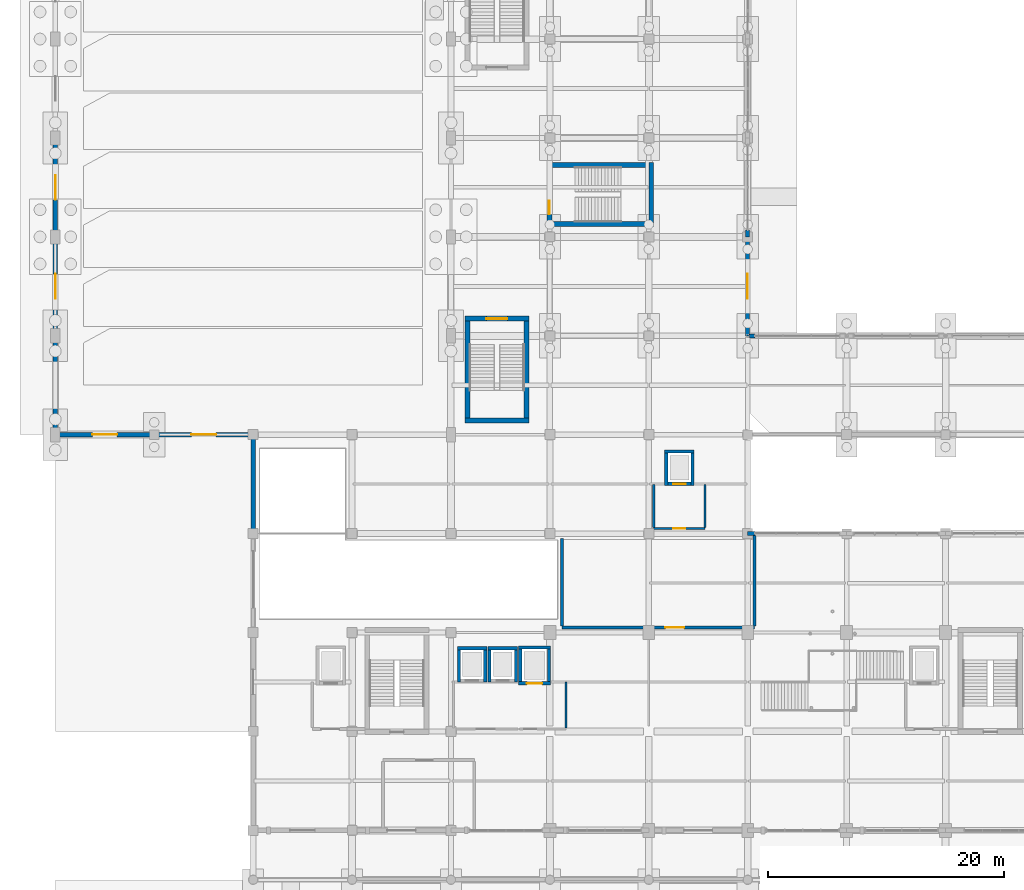
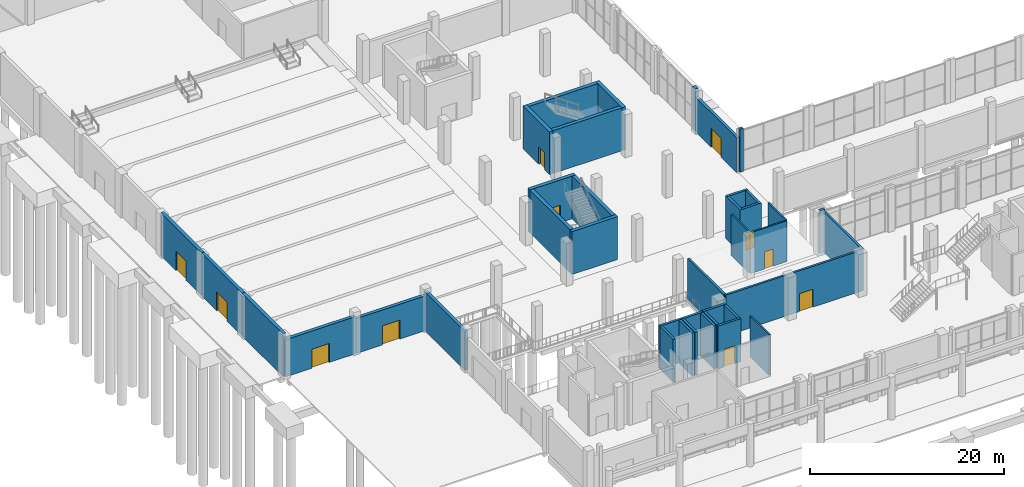
# One storey, part 65 of 82: 39 walls, 11 doors, 11 openings.
"""IFC4 building model written with IfcOpenShell, lengths in metres."""

from ifc_helpers import new_model, si_unit, derived_unit, direction, frame, frame_2d, origin, place, context, subcontext, project, spatial, rectangle, extrude, material, layer, layer_set, type_object, element, fill, save


model = new_model("IFC4")

# Units and contexts
model_context = context("Model", 3, precision=1e-05, world=origin(), true_north=direction((0.0, 1.0)))
body_context = subcontext(model_context, "Body", "Model", "MODEL_VIEW")
ifc_project = project(units=[si_unit("LENGTHUNIT", "METRE"), si_unit("AREAUNIT", "SQUARE_METRE"), si_unit("VOLUMEUNIT", "CUBIC_METRE"), si_unit("PLANEANGLEUNIT", "RADIAN"), si_unit("MASSUNIT", "GRAM", prefix="KILO"), derived_unit("THERMALTRANSMITTANCEUNIT", [(si_unit("POWERUNIT", "WATT"), 1), (si_unit("LENGTHUNIT", "METRE"), -2), (si_unit("THERMODYNAMICTEMPERATUREUNIT", "KELVIN"), -1)])], contexts=[model_context])

# Site, building, storey
site_placement = place(None, origin())
site = spatial("IfcSite", under=ifc_project, at=site_placement, CompositionType="ELEMENT")
building_placement = place(site_placement, origin())
building = spatial("IfcBuilding", under=site, at=building_placement, Name="Barrovel Congress Hotel", CompositionType="ELEMENT")
storey_placement = place(building_placement, origin())
storey = spatial("IfcBuildingStorey", under=building, at=storey_placement, Name="L00", CompositionType="ELEMENT", Elevation=0.0)

# Wall
ifc_material_1 = material(Name="Fired Clay Brick Masonry", Category="masonry")
ifc_layer_1 = layer(ifc_material_1, 0.340087890625)
ifc_layer_set_1 = layer_set([ifc_layer_1], Name="Fired Clay Brick Masonry")
wall_type_1 = type_object("IfcWallType", Name="EW-BRK340", PredefinedType="STANDARD", material=ifc_layer_set_1)
wall_1_placement = place(storey_placement, frame((59.39990234375, 29.39990234375, 0.0), z_axis=(0.0, 0.0, 1.0), x_axis=(-1.0, 0.0, 0.0)))
element("IfcWall", 1, at=wall_1_placement, inside=storey, type_object=wall_type_1, Name="EW:L00:CSJ-L:7", PredefinedType="STANDARD", context=body_context, shape_type="SweptSolid", body=[
    extrude(rectangle(XDim=0.599853515625, YDim=0.340087890625, at=frame_2d((0.2998046875, 0.0))), origin(), (0.0, 0.0, 1.0), 5.39990234375),
])

# Wall, opening, door
wall_2_placement = place(storey_placement, frame((58.800048828125, 46.199951171875, 0.0), z_axis=(0.0, 0.0, 1.0), x_axis=(0.0, 1.0, 0.0)))
wall_2 = element("IfcWall", 2, at=wall_2_placement, inside=storey, type_object=wall_type_1, Name="EW:L00:CW-EXIT1", PredefinedType="STANDARD", context=body_context, shape_type="SweptSolid", body=[
    extrude(rectangle(XDim=8.400146484375, YDim=0.340087890625, at=frame_2d((4.2001953125, 0.0))), origin(), (0.0, 0.0, 1.0), 4.389892578125),
])
opening_1_placement = place(wall_2_placement, frame((5.25, 0.0, 0.0), z_axis=(0.0, 0.0, 1.0), x_axis=(-1.0, 0.0, 0.0)))
opening_1 = element("IfcOpeningElement", 3, at=opening_1_placement, cuts=wall_2, Name="Opening ED-01", PredefinedType="OPENING", context=body_context, shape_type="SweptSolid", body=[
    extrude(rectangle(XDim=2.10009765625, YDim=2.39990234375, at=frame_2d((1.050048828125, 1.199951171875))), frame((0.0, 0.18017578125, 0.0), z_axis=(0.0, -1.0, 0.0), x_axis=(1.0, 0.0, 0.0)), (0.0, 0.0, 1.0), 0.360107421875),
])
ifc_material_2 = material(Name="Anodised Aluminium Glazed Door", Category="aluminium")
door_type_1 = type_object("IfcDoorType", Name="EDR-ED-01", OperationType="NOTDEFINED", PredefinedType="DOOR", material=ifc_material_2)
door_1_placement = place(opening_1_placement, origin())
door_1 = element("IfcDoor", 4, at=door_1_placement, inside=storey, type_object=door_type_1, Name="Grade Exit Door E-13", OperationType="DOUBLE_DOOR_SINGLE_SWING", OverallHeight=2.39990234375, OverallWidth=2.10009765625, PredefinedType="DOOR", context=body_context, shape_type="SweptSolid", body=[
    extrude(rectangle(XDim=2.10009765625, YDim=2.39990234375, at=frame_2d((1.050048828125, 1.199951171875))), frame((0.0, 0.02490234375, 0.0), z_axis=(0.0, -1.0, 0.0), x_axis=(1.0, 0.0, 0.0)), (0.0, 0.0, 1.0), 0.050048828125),
])
fill(opening_1, door_1)

# Walls
wall_3_placement = place(storey_placement, frame((58.800048828125, 54.60009765625, 0.0), z_axis=(0.0, 0.0, 1.0), x_axis=(0.0, 1.0, 0.0)))
element("IfcWall", 5, at=wall_3_placement, inside=storey, type_object=wall_type_1, Name="EW:L00:CWJ-A:54.6", PredefinedType="STANDARD", context=body_context, shape_type="SweptSolid", body=[
    extrude(rectangle(XDim=0.599853515625, YDim=0.340087890625, at=frame_2d((0.2998046875, 0.0))), origin(), (0.0, 0.0, 1.0), 5.39990234375),
])
wall_4_placement = place(storey_placement, frame((59.39990234375, 46.199951171875, 0.0), z_axis=(0.0, 0.0, 1.0), x_axis=(-1.0, 0.0, 0.0)))
element("IfcWall", 6, at=wall_4_placement, inside=storey, type_object=wall_type_1, Name="EW:L00:CLJ-R:7", PredefinedType="STANDARD", context=body_context, shape_type="SweptSolid", body=[
    extrude(rectangle(XDim=0.429931640625, YDim=0.340087890625, at=frame_2d((0.21484375, 0.0))), origin(), (0.0, 0.0, 1.0), 5.39990234375),
])
ifc_layer_2 = layer(ifc_material_1, 0.360107421875)
ifc_layer_set_2 = layer_set([ifc_layer_2], Name="Fired Clay Brick Masonry")
wall_type_2 = type_object("IfcWallType", Name="EW-BRK360", PredefinedType="STANDARD", material=ifc_layer_set_2)
wall_5_placement = place(storey_placement, frame((16.800048828125, 37.800048828125, 0.0), z_axis=(0.0, 0.0, 1.0), x_axis=(0.0, -1.0, 0.0)))
element("IfcWall", 7, at=wall_5_placement, inside=storey, type_object=wall_type_2, Name="EW:L00:V4W:29.4", PredefinedType="STANDARD", context=body_context, shape_type="SweptSolid", body=[
    extrude(rectangle(XDim=8.400146484375, YDim=0.360107421875, at=frame_2d((4.2001953125, 0.0))), origin(), (0.0, 0.0, 1.0), 4.89306640625),
])

# Wall, opening, door
ifc_layer_3 = layer(ifc_material_1, 0.3798828125)
ifc_layer_set_3 = layer_set([ifc_layer_3], Name="Fired Clay Brick Masonry")
wall_type_3 = type_object("IfcWallType", Name="EW-BRK380", PredefinedType="STANDARD", material=ifc_layer_set_3)
wall_6_placement = place(storey_placement, frame((0.0, 63.0, 0.0), z_axis=(0.0, 0.0, 1.0), x_axis=(0.0, -1.0, 0.0)))
wall_6 = element("IfcWall", 8, at=wall_6_placement, inside=storey, type_object=wall_type_3, Name="EW:L00:V1W:54.6", PredefinedType="STANDARD", context=body_context, shape_type="SweptSolid", body=[
    extrude(rectangle(XDim=8.39990234375, YDim=0.3798828125, at=frame_2d((4.199951171875, 0.0))), origin(), (0.0, 0.0, 1.0), 5.39990234375),
])
opening_2_placement = place(wall_6_placement, frame((5.25, 0.0, 0.0), z_axis=(0.0, 0.0, 1.0), x_axis=(-1.0, 0.0, 0.0)))
opening_2 = element("IfcOpeningElement", 9, at=opening_2_placement, cuts=wall_6, Name="Opening ED-01", PredefinedType="OPENING", context=body_context, shape_type="SweptSolid", body=[
    extrude(rectangle(XDim=2.10009765625, YDim=2.39990234375, at=frame_2d((1.050048828125, 1.199951171875))), frame((0.0, 0.199951171875, 0.0), z_axis=(0.0, -1.0, 0.0), x_axis=(1.0, 0.0, 0.0)), (0.0, 0.0, 1.0), 0.39990234375),
])
door_2_placement = place(opening_2_placement, origin())
door_2 = element("IfcDoor", 10, at=door_2_placement, inside=storey, type_object=door_type_1, Name="Grade Exit Door E-17", OperationType="DOUBLE_DOOR_SINGLE_SWING", OverallHeight=2.39990234375, OverallWidth=2.10009765625, PredefinedType="DOOR", context=body_context, shape_type="SweptSolid", body=[
    extrude(rectangle(XDim=2.10009765625, YDim=2.39990234375, at=frame_2d((1.050048828125, 1.199951171875))), frame((0.0, 0.02490234375, 0.0), z_axis=(0.0, -1.0, 0.0), x_axis=(1.0, 0.0, 0.0)), (0.0, 0.0, 1.0), 0.050048828125),
])
fill(opening_2, door_2)

wall_7_placement = place(storey_placement, frame((0.0, 54.60009765625, 0.0), z_axis=(0.0, 0.0, 1.0), x_axis=(0.0, -1.0, 0.0)))
wall_7 = element("IfcWall", 11, at=wall_7_placement, inside=storey, type_object=wall_type_3, Name="EW:L00:V1W:46.2", PredefinedType="STANDARD", context=body_context, shape_type="SweptSolid", body=[
    extrude(rectangle(XDim=8.400146484375, YDim=0.3798828125, at=frame_2d((4.2001953125, 0.0))), origin(), (0.0, 0.0, 1.0), 5.39990234375),
])
opening_3_placement = place(wall_7_placement, frame((5.25, 0.0, 0.0), z_axis=(0.0, 0.0, 1.0), x_axis=(-1.0, 0.0, 0.0)))
opening_3 = element("IfcOpeningElement", 12, at=opening_3_placement, cuts=wall_7, Name="Opening ED-01", PredefinedType="OPENING", context=body_context, shape_type="SweptSolid", body=[
    extrude(rectangle(XDim=2.10009765625, YDim=2.39990234375, at=frame_2d((1.050048828125, 1.199951171875))), frame((0.0, 0.199951171875, 0.0), z_axis=(0.0, -1.0, 0.0), x_axis=(1.0, 0.0, 0.0)), (0.0, 0.0, 1.0), 0.39990234375),
])
door_3_placement = place(opening_3_placement, origin())
door_3 = element("IfcDoor", 13, at=door_3_placement, inside=storey, type_object=door_type_1, Name="Grade Exit Door E-16", OperationType="DOUBLE_DOOR_SINGLE_SWING", OverallHeight=2.39990234375, OverallWidth=2.10009765625, PredefinedType="DOOR", context=body_context, shape_type="SweptSolid", body=[
    extrude(rectangle(XDim=2.10009765625, YDim=2.39990234375, at=frame_2d((1.050048828125, 1.199951171875))), frame((0.0, 0.02490234375, 0.0), z_axis=(0.0, -1.0, 0.0), x_axis=(1.0, 0.0, 0.0)), (0.0, 0.0, 1.0), 0.050048828125),
])
fill(opening_3, door_3)

# Wall
wall_8_placement = place(storey_placement, frame((0.0, 46.199951171875, 0.0), z_axis=(0.0, 0.0, 1.0), x_axis=(0.0, -1.0, 0.0)))
element("IfcWall", 14, at=wall_8_placement, inside=storey, type_object=wall_type_3, Name="EW:L00:V1W:37.8", PredefinedType="STANDARD", context=body_context, shape_type="SweptSolid", body=[
    extrude(rectangle(XDim=8.39990234375, YDim=0.3798828125, at=frame_2d((4.199951171875, 0.0))), origin(), (0.0, 0.0, 1.0), 5.39990234375),
])

# Wall, opening, door
wall_9_placement = place(storey_placement, frame((0.0, 37.800048828125, 0.0), z_axis=(0.0, 0.0, 1.0), x_axis=(1.0, 0.0, 0.0)))
wall_9 = element("IfcWall", 15, at=wall_9_placement, inside=storey, type_object=wall_type_3, Name="EW:L00:V1S:0", PredefinedType="STANDARD", context=body_context, shape_type="SweptSolid", body=[
    extrude(rectangle(XDim=8.39990234375, YDim=0.3798828125, at=frame_2d((4.199951171875, 0.0))), origin(), (0.0, 0.0, 1.0), 4.679931640625),
])
opening_4_placement = place(wall_9_placement, frame((5.25, 0.0, 0.0), z_axis=(0.0, 0.0, 1.0), x_axis=(-1.0, 0.0, 0.0)))
opening_4 = element("IfcOpeningElement", 16, at=opening_4_placement, cuts=wall_9, Name="Opening ED-01", PredefinedType="OPENING", context=body_context, shape_type="SweptSolid", body=[
    extrude(rectangle(XDim=2.10009765625, YDim=2.39990234375, at=frame_2d((1.050048828125, 1.199951171875))), frame((0.0, 0.199951171875, 0.0), z_axis=(0.0, -1.0, 0.0), x_axis=(1.0, 0.0, 0.0)), (0.0, 0.0, 1.0), 0.39990234375),
])
door_4_placement = place(opening_4_placement, origin())
door_4 = element("IfcDoor", 17, at=door_4_placement, inside=storey, type_object=door_type_1, Name="Grade Exit Door E-10", OperationType="DOUBLE_DOOR_SINGLE_SWING", OverallHeight=2.39990234375, OverallWidth=2.10009765625, PredefinedType="DOOR", context=body_context, shape_type="SweptSolid", body=[
    extrude(rectangle(XDim=2.10009765625, YDim=2.39990234375, at=frame_2d((1.050048828125, 1.199951171875))), frame((0.0, 0.02490234375, 0.0), z_axis=(0.0, -1.0, 0.0), x_axis=(1.0, 0.0, 0.0)), (0.0, 0.0, 1.0), 0.050048828125),
])
fill(opening_4, door_4)

wall_10_placement = place(storey_placement, frame((8.39990234375, 37.800048828125, 0.0), z_axis=(0.0, 0.0, 1.0), x_axis=(1.0, 0.0, 0.0)))
wall_10 = element("IfcWall", 18, at=wall_10_placement, inside=storey, type_object=wall_type_3, Name="EW:L00:V1S:1", PredefinedType="STANDARD", context=body_context, shape_type="SweptSolid", body=[
    extrude(rectangle(XDim=8.400146484375, YDim=0.3798828125, at=frame_2d((4.2001953125, 0.0))), origin(), (0.0, 0.0, 1.0), 4.389892578125),
])
opening_5_placement = place(wall_10_placement, frame((5.25, 0.0, 0.0), z_axis=(0.0, 0.0, 1.0), x_axis=(-1.0, 0.0, 0.0)))
opening_5 = element("IfcOpeningElement", 19, at=opening_5_placement, cuts=wall_10, Name="Opening ED-01", PredefinedType="OPENING", context=body_context, shape_type="SweptSolid", body=[
    extrude(rectangle(XDim=2.10009765625, YDim=2.39990234375, at=frame_2d((1.050048828125, 1.199951171875))), frame((0.0, 0.199951171875, 0.0), z_axis=(0.0, -1.0, 0.0), x_axis=(1.0, 0.0, 0.0)), (0.0, 0.0, 1.0), 0.39990234375),
])
door_5_placement = place(opening_5_placement, origin())
door_5 = element("IfcDoor", 20, at=door_5_placement, inside=storey, type_object=door_type_1, Name="Grade Exit Door E-11", OperationType="DOUBLE_DOOR_SINGLE_SWING", OverallHeight=2.39990234375, OverallWidth=2.10009765625, PredefinedType="DOOR", context=body_context, shape_type="SweptSolid", body=[
    extrude(rectangle(XDim=2.10009765625, YDim=2.39990234375, at=frame_2d((1.050048828125, 1.199951171875))), frame((0.0, 0.02490234375, 0.0), z_axis=(0.0, -1.0, 0.0), x_axis=(1.0, 0.0, 0.0)), (0.0, 0.0, 1.0), 0.050048828125),
])
fill(opening_5, door_5)

# Wall
ifc_material_3 = material(Name="Gypsum Acoustic Stud", Category="gypsum")
ifc_layer_4 = layer(ifc_material_3, 0.179931640625)
ifc_layer_set_4 = layer_set([ifc_layer_4], Name="Gypsum Acoustic Stud")
wall_type_4 = type_object("IfcWallType", Name="PW-ACU-180", PredefinedType="PARTITIONING", material=ifc_layer_set_4)
wall_11_placement = place(storey_placement, frame((43.3798828125, 12.909912109375, 0.0), z_axis=(0.0, 0.0, 1.0), x_axis=(0.0, 1.0, 0.0)))
element("IfcWall", 21, at=wall_11_placement, inside=storey, type_object=wall_type_4, Name="RW:SP:L00:LL-SL1:E", PredefinedType="PARTITIONING", context=body_context, shape_type="SweptSolid", body=[
    extrude(rectangle(XDim=3.8701171875, YDim=0.179931640625, at=frame_2d((1.93505859375, 0.0))), origin(), (0.0, 0.0, 1.0), 5.135009765625),
])

# Wall, opening, door
wall_12_placement = place(storey_placement, frame((50.820068359375, 29.820068359375, 0.0), z_axis=(0.0, 0.0, 1.0), x_axis=(1.0, 0.0, 0.0)))
wall_12 = element("IfcWall", 22, at=wall_12_placement, inside=storey, type_object=wall_type_4, Name="RW:SP:L00:LL-CL1:S", PredefinedType="PARTITIONING", context=body_context, shape_type="SweptSolid", body=[
    extrude(rectangle(XDim=4.35986328125, YDim=0.179931640625, at=frame_2d((2.179931640625, 0.0))), origin(), (0.0, 0.0, 1.0), 5.135009765625),
])
opening_6_placement = place(wall_12_placement, frame((1.669921875, 0.0, 0.0)))
opening_6 = element("IfcOpeningElement", 23, at=opening_6_placement, cuts=wall_12, Name="Opening ID-ACC", PredefinedType="OPENING", context=body_context, shape_type="SweptSolid", body=[
    extrude(rectangle(XDim=1.02001953125, YDim=2.14990234375, at=frame_2d((0.510009765625, 1.074951171875))), frame((0.0, 0.10009765625, 0.0), z_axis=(0.0, -1.0, 0.0), x_axis=(1.0, 0.0, 0.0)), (0.0, 0.0, 1.0), 0.199951171875),
])
ifc_material_4 = material(Name="Solid Oak Acoustic Timber Door", Category="wood")
door_type_2 = type_object("IfcDoorType", Name="IDR-ID-ACC", OperationType="NOTDEFINED", PredefinedType="DOOR", material=ifc_material_4)
door_6_placement = place(opening_6_placement, origin())
door_6 = element("IfcDoor", 24, at=door_6_placement, inside=storey, type_object=door_type_2, Name="RD:SP:L00:LL-CL1", OperationType="SINGLE_SWING_RIGHT", OverallHeight=2.14990234375, OverallWidth=1.02001953125, PredefinedType="DOOR", context=body_context, shape_type="SweptSolid", body=[
    extrude(rectangle(XDim=1.02001953125, YDim=2.14990234375, at=frame_2d((0.510009765625, 1.074951171875))), frame((0.0, 0.02490234375, 0.0), z_axis=(0.0, -1.0, 0.0), x_axis=(1.0, 0.0, 0.0)), (0.0, 0.0, 1.0), 0.050048828125),
])
fill(opening_6, door_6)

# Walls
for number, where, z_axis, x_axis, name in (
    (25, (50.820068359375, 29.909912109375, 0.0), (0.0, 0.0, 1.0), (0.0, 1.0, 0.0), "RW:SP:L00:LL-CL1:W"),
    (26, (55.179931640625, 29.909912109375, 0.0), (0.0, 0.0, 1.0), (0.0, 1.0, 0.0), "RW:SP:L00:LL-CL1:E"),
):
    element("IfcWall", number, at=place(storey_placement, frame(where, z_axis=z_axis, x_axis=x_axis)), inside=storey, type_object=wall_type_4, Name=name, PredefinedType="PARTITIONING", context=body_context, shape_type="SweptSolid", body=[
        extrude(rectangle(XDim=3.670166015625, YDim=0.179931640625, at=frame_2d((1.8349609375, 0.0))), origin(), (0.0, 0.0, 1.0), 5.135009765625),
    ])

# Wall, opening, door
ifc_layer_5 = layer(ifc_material_1, 0.239990234375)
ifc_layer_set_5 = layer_set([ifc_layer_5], Name="Fired Clay Brick Masonry")
wall_type_5 = type_object("IfcWallType", Name="PW-MAS-240", PredefinedType="PARTITIONING", material=ifc_layer_set_5)
wall_13_placement = place(storey_placement, frame((43.02001953125, 21.419921875, 0.0), z_axis=(0.0, 0.0, 1.0), x_axis=(1.0, 0.0, 0.0)))
wall_13 = element("IfcWall", 27, at=wall_13_placement, inside=storey, type_object=wall_type_5, Name="RW:SP:L00:CAFE:S", PredefinedType="PARTITIONING", context=body_context, shape_type="SweptSolid", body=[
    extrude(rectangle(XDim=16.35986328125, YDim=0.239990234375, at=frame_2d((8.179931640625, 0.0))), origin(), (0.0, 0.0, 1.0), 5.135009765625),
])
opening_7_placement = place(wall_13_placement, frame((8.780029296875, 0.0, 0.0)))
opening_7 = element("IfcOpeningElement", 28, at=opening_7_placement, cuts=wall_13, Name="Opening ID-MTG", PredefinedType="OPENING", context=body_context, shape_type="SweptSolid", body=[
    extrude(rectangle(XDim=1.60009765625, YDim=2.25, at=frame_2d((0.800048828125, 1.125))), frame((0.0, 0.1298828125, 0.0), z_axis=(0.0, -1.0, 0.0), x_axis=(1.0, 0.0, 0.0)), (0.0, 0.0, 1.0), 0.260009765625),
])
door_type_3 = type_object("IfcDoorType", Name="IDR-ID-MTG", OperationType="NOTDEFINED", PredefinedType="DOOR", material=ifc_material_4)
door_7_placement = place(opening_7_placement, origin())
door_7 = element("IfcDoor", 29, at=door_7_placement, inside=storey, type_object=door_type_3, Name="RD:SP:L00:CAFE", OperationType="DOUBLE_DOOR_SINGLE_SWING", OverallHeight=2.25, OverallWidth=1.60009765625, PredefinedType="DOOR", context=body_context, shape_type="SweptSolid", body=[
    extrude(rectangle(XDim=1.60009765625, YDim=2.25, at=frame_2d((0.800048828125, 1.125))), frame((0.0, 0.02490234375, 0.0), z_axis=(0.0, -1.0, 0.0), x_axis=(1.0, 0.0, 0.0)), (0.0, 0.0, 1.0), 0.050048828125),
])
fill(opening_7, door_7)

# Walls
wall_14_placement = place(storey_placement, frame((43.02001953125, 21.5400390625, 0.0), z_axis=(0.0, 0.0, 1.0), x_axis=(0.0, 1.0, 0.0)))
element("IfcWall", 30, at=wall_14_placement, inside=storey, type_object=wall_type_5, Name="RW:SP:L00:CAFE:W", PredefinedType="PARTITIONING", context=body_context, shape_type="SweptSolid", body=[
    extrude(rectangle(XDim=7.43994140625, YDim=0.239990234375, at=frame_2d((3.719970703125, 0.0))), origin(), (0.0, 0.0, 1.0), 5.135009765625),
])
wall_15_placement = place(storey_placement, frame((59.3798828125, 21.5400390625, 0.0), z_axis=(0.0, 0.0, 1.0), x_axis=(0.0, 1.0, 0.0)))
element("IfcWall", 31, at=wall_15_placement, inside=storey, type_object=wall_type_5, Name="RW:SP:L00:CAFE:E", PredefinedType="PARTITIONING", context=body_context, shape_type="SweptSolid", body=[
    extrude(rectangle(XDim=7.68994140625, YDim=0.239990234375, at=frame_2d((3.844970703125, 0.0))), origin(), (0.0, 0.0, 1.0), 5.135009765625),
])
ifc_material_5 = material(Name="Concrete C40", Category="concrete")
ifc_layer_6 = layer(ifc_material_5, 0.280029296875)
ifc_layer_set_6 = layer_set([ifc_layer_6], Name="Concrete C40")
wall_type_6 = type_object("IfcWallType", Name="SW-C40-280", PredefinedType="SHEAR", material=ifc_layer_set_6)
wall_16_placement = place(storey_placement, frame((36.52001953125, 16.7900390625, 0.0), z_axis=(0.0, 0.0, 1.0), x_axis=(0.0, 1.0, 0.0)))
element("IfcWall", 32, at=wall_16_placement, inside=storey, type_object=wall_type_6, Name="LSH:PL-1:L00:E", PredefinedType="SHEAR", context=body_context, shape_type="SweptSolid", body=[
    extrude(rectangle(XDim=3.02001953125, YDim=0.280029296875, at=frame_2d((1.510009765625, 0.0))), origin(), (0.0, 0.0, 1.0), 5.39990234375),
])
wall_17_placement = place(storey_placement, frame((36.659912109375, 19.669921875, 0.0), z_axis=(0.0, 0.0, 1.0), x_axis=(-1.0, 0.0, 0.0)))
element("IfcWall", 33, at=wall_17_placement, inside=storey, type_object=wall_type_6, Name="LSH:PL-1:L00:N", PredefinedType="SHEAR", context=body_context, shape_type="SweptSolid", body=[
    extrude(rectangle(XDim=2.52001953125, YDim=0.280029296875, at=frame_2d((1.260009765625, 0.0))), origin(), (0.0, 0.0, 1.0), 5.39990234375),
])
for number, where, z_axis, x_axis, name in (
    (34, (34.280029296875, 19.81005859375, 0.0), (0.0, 0.0, 1.0), (0.0, -1.0, 0.0), "LSH:PL-1:L00:W"),
    (35, (39.1201171875, 16.7900390625, 0.0), (0.0, 0.0, 1.0), (0.0, 1.0, 0.0), "LSH:PL-2:L00:E"),
):
    element("IfcWall", number, at=place(storey_placement, frame(where, z_axis=z_axis, x_axis=x_axis)), inside=storey, type_object=wall_type_6, Name=name, PredefinedType="SHEAR", context=body_context, shape_type="SweptSolid", body=[
        extrude(rectangle(XDim=3.02001953125, YDim=0.280029296875, at=frame_2d((1.510009765625, 0.0))), origin(), (0.0, 0.0, 1.0), 5.39990234375),
    ])
wall_18_placement = place(storey_placement, frame((39.260009765625, 19.669921875, 0.0), z_axis=(0.0, 0.0, 1.0), x_axis=(-1.0, 0.0, 0.0)))
element("IfcWall", 36, at=wall_18_placement, inside=storey, type_object=wall_type_6, Name="LSH:PL-2:L00:N", PredefinedType="SHEAR", context=body_context, shape_type="SweptSolid", body=[
    extrude(rectangle(XDim=2.52001953125, YDim=0.280029296875, at=frame_2d((1.260009765625, 0.0))), origin(), (0.0, 0.0, 1.0), 5.39990234375),
])
wall_19_placement = place(storey_placement, frame((36.8798828125, 19.81005859375, 0.0), z_axis=(0.0, 0.0, 1.0), x_axis=(0.0, -1.0, 0.0)))
element("IfcWall", 37, at=wall_19_placement, inside=storey, type_object=wall_type_6, Name="LSH:PL-2:L00:W", PredefinedType="SHEAR", context=body_context, shape_type="SweptSolid", body=[
    extrude(rectangle(XDim=3.02001953125, YDim=0.280029296875, at=frame_2d((1.510009765625, 0.0))), origin(), (0.0, 0.0, 1.0), 5.39990234375),
])

# Wall, opening, door
wall_20_placement = place(storey_placement, frame((51.739990234375, 33.6298828125, 0.0), z_axis=(0.0, 0.0, 1.0), x_axis=(1.0, 0.0, 0.0)))
wall_20 = element("IfcWall", 38, at=wall_20_placement, inside=storey, type_object=wall_type_6, Name="LSH:CL-1:L00:S", PredefinedType="SHEAR", context=body_context, shape_type="SweptSolid", body=[
    extrude(rectangle(XDim=2.52001953125, YDim=0.280029296875, at=frame_2d((1.260009765625, 0.0))), origin(), (0.0, 0.0, 1.0), 5.39990234375),
])
opening_8_placement = place(wall_20_placement, frame((0.735107421875, 0.0, 0.0)))
opening_8 = element("IfcOpeningElement", 39, at=opening_8_placement, cuts=wall_20, Name="Opening LD-PAX", PredefinedType="OPENING", context=body_context, shape_type="SweptSolid", body=[
    extrude(rectangle(XDim=1.050048828125, YDim=2.199951171875, at=frame_2d((0.52490234375, 1.10009765625))), frame((0.0, 0.14990234375, 0.0), z_axis=(0.0, -1.0, 0.0), x_axis=(1.0, 0.0, 0.0)), (0.0, 0.0, 1.0), 0.300048828125),
])
ifc_material_6 = material(Name="Brushed Stainless Steel", Category="steel")
door_type_4 = type_object("IfcDoorType", Name="IDR-LD-PAX", OperationType="NOTDEFINED", PredefinedType="DOOR", material=ifc_material_6)
door_8_placement = place(opening_8_placement, origin())
door_8 = element("IfcDoor", 40, at=door_8_placement, inside=storey, type_object=door_type_4, Name="Lift Landing Door LD-CL-1-L00", OperationType="SLIDING_TO_LEFT", OverallHeight=2.199951171875, OverallWidth=1.050048828125, PredefinedType="DOOR", context=body_context, shape_type="SweptSolid", body=[
    extrude(rectangle(XDim=1.050048828125, YDim=2.199951171875, at=frame_2d((0.52490234375, 1.10009765625))), frame((0.0, 0.02490234375, 0.0), z_axis=(0.0, -1.0, 0.0), x_axis=(1.0, 0.0, 0.0)), (0.0, 0.0, 1.0), 0.050048828125),
])
fill(opening_8, door_8)

# Walls
wall_21_placement = place(storey_placement, frame((54.1201171875, 33.489990234375, 0.0), z_axis=(0.0, 0.0, 1.0), x_axis=(0.0, 1.0, 0.0)))
element("IfcWall", 41, at=wall_21_placement, inside=storey, type_object=wall_type_6, Name="LSH:CL-1:L00:E", PredefinedType="SHEAR", context=body_context, shape_type="SweptSolid", body=[
    extrude(rectangle(XDim=3.02001953125, YDim=0.280029296875, at=frame_2d((1.510009765625, 0.0))), origin(), (0.0, 0.0, 1.0), 5.39990234375),
])
wall_22_placement = place(storey_placement, frame((54.260009765625, 36.3701171875, 0.0), z_axis=(0.0, 0.0, 1.0), x_axis=(-1.0, 0.0, 0.0)))
element("IfcWall", 42, at=wall_22_placement, inside=storey, type_object=wall_type_6, Name="LSH:CL-1:L00:N", PredefinedType="SHEAR", context=body_context, shape_type="SweptSolid", body=[
    extrude(rectangle(XDim=2.52001953125, YDim=0.280029296875, at=frame_2d((1.260009765625, 0.0))), origin(), (0.0, 0.0, 1.0), 5.39990234375),
])
wall_23_placement = place(storey_placement, frame((51.8798828125, 36.510009765625, 0.0), z_axis=(0.0, 0.0, 1.0), x_axis=(0.0, -1.0, 0.0)))
element("IfcWall", 43, at=wall_23_placement, inside=storey, type_object=wall_type_6, Name="LSH:CL-1:L00:W", PredefinedType="SHEAR", context=body_context, shape_type="SweptSolid", body=[
    extrude(rectangle(XDim=3.02001953125, YDim=0.280029296875, at=frame_2d((1.510009765625, 0.0))), origin(), (0.0, 0.0, 1.0), 5.39990234375),
])

# Wall, opening, door
wall_24_placement = place(storey_placement, frame((39.340087890625, 16.679931640625, 0.0), z_axis=(0.0, 0.0, 1.0), x_axis=(1.0, 0.0, 0.0)))
wall_24 = element("IfcWall", 44, at=wall_24_placement, inside=storey, type_object=wall_type_6, Name="LSH:SL-1:L00:S", PredefinedType="SHEAR", context=body_context, shape_type="SweptSolid", body=[
    extrude(rectangle(XDim=2.719970703125, YDim=0.280029296875, at=frame_2d((1.35986328125, 0.0))), origin(), (0.0, 0.0, 1.0), 5.39990234375),
])
opening_9_placement = place(wall_24_placement, frame((0.7099609375, 0.0, 0.0)))
opening_9 = element("IfcOpeningElement", 45, at=opening_9_placement, cuts=wall_24, Name="Opening LD-SRV", PredefinedType="OPENING", context=body_context, shape_type="SweptSolid", body=[
    extrude(rectangle(XDim=1.300048828125, YDim=2.25, at=frame_2d((0.64990234375, 1.125))), frame((0.0, 0.14990234375, 0.0), z_axis=(0.0, -1.0, 0.0), x_axis=(1.0, 0.0, 0.0)), (0.0, 0.0, 1.0), 0.300048828125),
])
door_type_5 = type_object("IfcDoorType", Name="IDR-LD-SRV", OperationType="NOTDEFINED", PredefinedType="DOOR", material=ifc_material_6)
door_9_placement = place(opening_9_placement, origin())
door_9 = element("IfcDoor", 46, at=door_9_placement, inside=storey, type_object=door_type_5, Name="Lift Landing Door LD-SL-1-L00", OperationType="SLIDING_TO_LEFT", OverallHeight=2.25, OverallWidth=1.300048828125, PredefinedType="DOOR", context=body_context, shape_type="SweptSolid", body=[
    extrude(rectangle(XDim=1.300048828125, YDim=2.25, at=frame_2d((0.64990234375, 1.125))), frame((0.0, 0.02490234375, 0.0), z_axis=(0.0, -1.0, 0.0), x_axis=(1.0, 0.0, 0.0)), (0.0, 0.0, 1.0), 0.050048828125),
])
fill(opening_9, door_9)

# Walls
wall_25_placement = place(storey_placement, frame((41.919921875, 16.5400390625, 0.0), z_axis=(0.0, 0.0, 1.0), x_axis=(0.0, 1.0, 0.0)))
element("IfcWall", 47, at=wall_25_placement, inside=storey, type_object=wall_type_6, Name="LSH:SL-1:L00:E", PredefinedType="SHEAR", context=body_context, shape_type="SweptSolid", body=[
    extrude(rectangle(XDim=3.320068359375, YDim=0.280029296875, at=frame_2d((1.66015625, 0.0))), origin(), (0.0, 0.0, 1.0), 5.39990234375),
])
wall_26_placement = place(storey_placement, frame((42.06005859375, 19.719970703125, 0.0), z_axis=(0.0, 0.0, 1.0), x_axis=(-1.0, 0.0, 0.0)))
element("IfcWall", 48, at=wall_26_placement, inside=storey, type_object=wall_type_6, Name="LSH:SL-1:L00:N", PredefinedType="SHEAR", context=body_context, shape_type="SweptSolid", body=[
    extrude(rectangle(XDim=2.719970703125, YDim=0.280029296875, at=frame_2d((1.35986328125, 0.0))), origin(), (0.0, 0.0, 1.0), 5.39990234375),
])
wall_27_placement = place(storey_placement, frame((39.47998046875, 19.860107421875, 0.0), z_axis=(0.0, 0.0, 1.0), x_axis=(0.0, -1.0, 0.0)))
element("IfcWall", 49, at=wall_27_placement, inside=storey, type_object=wall_type_6, Name="LSH:SL-1:L00:W", PredefinedType="SHEAR", context=body_context, shape_type="SweptSolid", body=[
    extrude(rectangle(XDim=3.320068359375, YDim=0.280029296875, at=frame_2d((1.66015625, 0.0))), origin(), (0.0, 0.0, 1.0), 5.39990234375),
])
ifc_material_7 = material(Name="Concrete C50", Category="concrete")
ifc_layer_7 = layer(ifc_material_7, 0.419921875)
ifc_layer_set_7 = layer_set([ifc_layer_7], Name="Concrete C50")
wall_type_7 = type_object("IfcWallType", Name="SW-C50-420", PredefinedType="SHEAR", material=ifc_layer_set_7)
wall_28_placement = place(storey_placement, frame((41.739990234375, 55.68994140625, 0.0), z_axis=(0.0, 0.0, 1.0), x_axis=(1.0, 0.0, 0.0)))
element("IfcWall", 50, at=wall_28_placement, inside=storey, type_object=wall_type_7, Name="SHW:XS-05:L00:S", PredefinedType="SHEAR", context=body_context, shape_type="SweptSolid", body=[
    extrude(rectangle(XDim=9.080078125, YDim=0.419921875, at=frame_2d((4.5400390625, 0.0))), origin(), (0.0, 0.0, 1.0), 5.39990234375),
])
wall_29_placement = place(storey_placement, frame((50.610107421875, 55.47998046875, 0.0), z_axis=(0.0, 0.0, 1.0), x_axis=(0.0, 1.0, 0.0)))
element("IfcWall", 51, at=wall_29_placement, inside=storey, type_object=wall_type_7, Name="SHW:XS-05:L00:E", PredefinedType="SHEAR", context=body_context, shape_type="SweptSolid", body=[
    extrude(rectangle(XDim=5.43994140625, YDim=0.419921875, at=frame_2d((2.719970703125, 0.0))), origin(), (0.0, 0.0, 1.0), 5.39990234375),
])
wall_30_placement = place(storey_placement, frame((50.820068359375, 60.7099609375, 0.0), z_axis=(0.0, 0.0, 1.0), x_axis=(-1.0, 0.0, 0.0)))
element("IfcWall", 52, at=wall_30_placement, inside=storey, type_object=wall_type_7, Name="SHW:XS-05:L00:N", PredefinedType="SHEAR", context=body_context, shape_type="SweptSolid", body=[
    extrude(rectangle(XDim=9.080078125, YDim=0.419921875, at=frame_2d((4.5400390625, 0.0))), origin(), (0.0, 0.0, 1.0), 5.39990234375),
])

# Wall, opening, door
wall_31_placement = place(storey_placement, frame((41.949951171875, 60.919921875, 0.0), z_axis=(0.0, 0.0, 1.0), x_axis=(0.0, -1.0, 0.0)))
wall_31 = element("IfcWall", 53, at=wall_31_placement, inside=storey, type_object=wall_type_7, Name="SHW:XS-05:L00:W", PredefinedType="SHEAR", context=body_context, shape_type="SweptSolid", body=[
    extrude(rectangle(XDim=5.43994140625, YDim=0.419921875, at=frame_2d((2.719970703125, 0.0))), origin(), (0.0, 0.0, 1.0), 5.39990234375),
])
opening_10_placement = place(wall_31_placement, frame((4.389892578125, 0.0, 0.0), z_axis=(0.0, 0.0, 1.0), x_axis=(-1.0, 0.0, 0.0)))
opening_10 = element("IfcOpeningElement", 54, at=opening_10_placement, cuts=wall_31, Name="Opening ID-ST1", PredefinedType="OPENING", context=body_context, shape_type="SweptSolid", body=[
    extrude(rectangle(XDim=1.14990234375, YDim=2.14990234375, at=frame_2d((0.574951171875, 1.074951171875))), frame((0.0, 0.219970703125, 0.0), z_axis=(0.0, -1.0, 0.0), x_axis=(1.0, 0.0, 0.0)), (0.0, 0.0, 1.0), 0.43994140625),
])
ifc_material_8 = material(Name="Painted Hollow-Metal Steel Door", Category="steel")
door_type_6 = type_object("IfcDoorType", Name="IDR-ID-ST1", OperationType="NOTDEFINED", PredefinedType="DOOR", material=ifc_material_8)
door_10_placement = place(opening_10_placement, origin())
door_10 = element("IfcDoor", 55, at=door_10_placement, inside=storey, type_object=door_type_6, Name="Stair Core Fire Door XS-05-L00", OperationType="SINGLE_SWING_LEFT", OverallHeight=2.14990234375, OverallWidth=1.14990234375, PredefinedType="DOOR", context=body_context, shape_type="SweptSolid", body=[
    extrude(rectangle(XDim=1.14990234375, YDim=2.14990234375, at=frame_2d((0.574951171875, 1.074951171875))), frame((0.0, 0.02490234375, 0.0), z_axis=(0.0, -1.0, 0.0), x_axis=(1.0, 0.0, 0.0)), (0.0, 0.0, 1.0), 0.050048828125),
])
fill(opening_10, door_10)

# Walls
wall_32_placement = place(storey_placement, frame((34.780029296875, 38.989990234375, 0.0), z_axis=(0.0, 0.0, 1.0), x_axis=(1.0, 0.0, 0.0)))
element("IfcWall", 56, at=wall_32_placement, inside=storey, type_object=wall_type_7, Name="SHW:XS-08:L00:S", PredefinedType="SHEAR", context=body_context, shape_type="SweptSolid", body=[
    extrude(rectangle(XDim=5.43994140625, YDim=0.419921875, at=frame_2d((2.719970703125, 0.0))), origin(), (0.0, 0.0, 1.0), 5.39990234375),
])
wall_33_placement = place(storey_placement, frame((40.010009765625, 38.780029296875, 0.0), z_axis=(0.0, 0.0, 1.0), x_axis=(0.0, 1.0, 0.0)))
element("IfcWall", 57, at=wall_33_placement, inside=storey, type_object=wall_type_7, Name="SHW:XS-08:L00:E", PredefinedType="SHEAR", context=body_context, shape_type="SweptSolid", body=[
    extrude(rectangle(XDim=9.080078125, YDim=0.419921875, at=frame_2d((4.5400390625, 0.0))), origin(), (0.0, 0.0, 1.0), 5.39990234375),
])

# Wall, opening, door
wall_34_placement = place(storey_placement, frame((40.219970703125, 47.64990234375, 0.0), z_axis=(0.0, 0.0, 1.0), x_axis=(-1.0, 0.0, 0.0)))
wall_34 = element("IfcWall", 58, at=wall_34_placement, inside=storey, type_object=wall_type_7, Name="SHW:XS-08:L00:N", PredefinedType="SHEAR", context=body_context, shape_type="SweptSolid", body=[
    extrude(rectangle(XDim=5.43994140625, YDim=0.419921875, at=frame_2d((2.719970703125, 0.0))), origin(), (0.0, 0.0, 1.0), 5.39990234375),
])
opening_11_placement = place(wall_34_placement, frame((3.6201171875, 0.0, 0.0), z_axis=(0.0, 0.0, 1.0), x_axis=(-1.0, 0.0, 0.0)))
opening_11 = element("IfcOpeningElement", 59, at=opening_11_placement, cuts=wall_34, Name="Opening ID-ST2", PredefinedType="OPENING", context=body_context, shape_type="SweptSolid", body=[
    extrude(rectangle(XDim=1.800048828125, YDim=2.199951171875, at=frame_2d((0.89990234375, 1.10009765625))), frame((0.0, 0.219970703125, 0.0), z_axis=(0.0, -1.0, 0.0), x_axis=(1.0, 0.0, 0.0)), (0.0, 0.0, 1.0), 0.43994140625),
])
door_type_7 = type_object("IfcDoorType", Name="IDR-ID-ST2", OperationType="NOTDEFINED", PredefinedType="DOOR", material=ifc_material_8)
door_11_placement = place(opening_11_placement, origin())
door_11 = element("IfcDoor", 60, at=door_11_placement, inside=storey, type_object=door_type_7, Name="Stair Core Fire Door XS-08-L00", OperationType="DOUBLE_DOOR_SINGLE_SWING", OverallHeight=2.199951171875, OverallWidth=1.800048828125, PredefinedType="DOOR", context=body_context, shape_type="SweptSolid", body=[
    extrude(rectangle(XDim=1.800048828125, YDim=2.199951171875, at=frame_2d((0.89990234375, 1.10009765625))), frame((0.0, 0.02490234375, 0.0), z_axis=(0.0, -1.0, 0.0), x_axis=(1.0, 0.0, 0.0)), (0.0, 0.0, 1.0), 0.050048828125),
])
fill(opening_11, door_11)

# Wall
wall_35_placement = place(storey_placement, frame((34.989990234375, 47.860107421875, 0.0), z_axis=(0.0, 0.0, 1.0), x_axis=(0.0, -1.0, 0.0)))
element("IfcWall", 61, at=wall_35_placement, inside=storey, type_object=wall_type_7, Name="SHW:XS-08:L00:W", PredefinedType="SHEAR", context=body_context, shape_type="SweptSolid", body=[
    extrude(rectangle(XDim=9.080078125, YDim=0.419921875, at=frame_2d((4.5400390625, 0.0))), origin(), (0.0, 0.0, 1.0), 5.39990234375),
])

save(model, "model.ifc")
